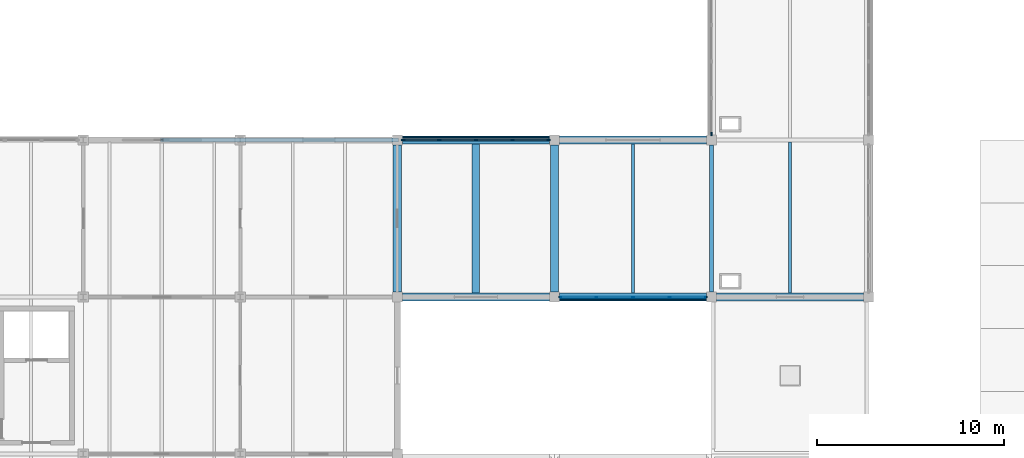
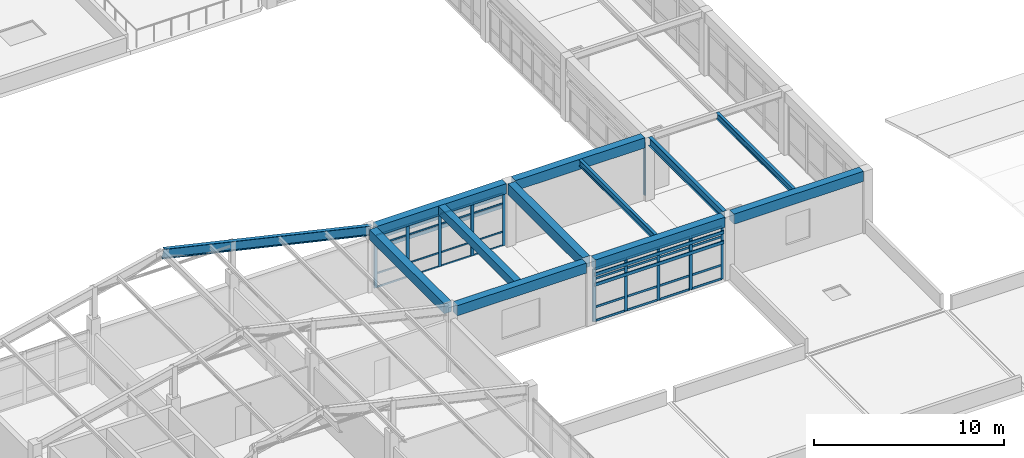
# One storey, part 7 of 40: 47 members, 12 beams, 3 elements without a shape of their own.
"""IFC4 building model written with IfcOpenShell, lengths in metres."""

import ifcopenshell
import ifcopenshell.guid

model = None  # the IFC model being written
_history = None  # IfcOwnerHistory: only IFC2X3 demands one
_inside = {}  # id of a spatial element -> (the spatial element, [elements in it])
_under = {}  # id of a project, library or spatial element -> (it, [spatial elements below it])
_declared = {}  # id of a project -> (the project, [libraries it declares])
_typed = {}  # id of a type object -> (the type object, [elements of that type])
_made_of = {}  # id of a material, layer set ... -> (it, [elements and type objects made of it])


def new_model(schema):
    """Start an empty IFC model of exactly this schema.

    Asked for "IFC4X3", IfcOpenShell would pick the latest addendum, in which some entities
    have other attributes; the version numbers below select the first issue.
    IFC2X3 requires an IfcOwnerHistory on every rooted entity: one is made here for all.
    """
    global model, _history
    if schema == "IFC4X3":
        model = ifcopenshell.file(schema_version=(4, 3, 0, 0))
    else:
        model = ifcopenshell.file(schema=schema)
    _inside.clear()
    _under.clear()
    _declared.clear()
    _typed.clear()
    _made_of.clear()
    _history = None
    if model.schema == "IFC2X3":
        org = make("IfcOrganization", Name="unknown")
        user = make(
            "IfcPersonAndOrganization",
            ThePerson=make("IfcPerson", FamilyName="unknown"),
            TheOrganization=org,
        )
        app = make(
            "IfcApplication",
            ApplicationDeveloper=org,
            Version="unknown",
            ApplicationFullName="unknown",
            ApplicationIdentifier="unknown",
        )
        _history = make(
            "IfcOwnerHistory",
            OwningUser=user,
            OwningApplication=app,
            ChangeAction="ADDED",
            CreationDate=0,
        )
    return model


def make(cls, **values):
    """One entity of the class cls with the attributes given. An attribute that is None is left unset."""
    return model.create_entity(
        cls, **{name: value for name, value in values.items() if value is not None}
    )


def rooted(cls, **values):
    """An entity with a GlobalId (a new one), such as an element, a storey or a relation."""
    return make(cls, GlobalId=ifcopenshell.guid.new(), OwnerHistory=_history, **values)


def si_unit(unit_type, name, prefix=None):
    """IfcSIUnit, for example si_unit("LENGTHUNIT", "METRE", prefix="MILLI")."""
    return make("IfcSIUnit", UnitType=unit_type, Prefix=prefix, Name=name)


def assignment(units):
    """IfcUnitAssignment: the units of a project."""
    return None if units is None else make("IfcUnitAssignment", Units=units)


def point(xyz):
    """IfcCartesianPoint."""
    return None if xyz is None else make("IfcCartesianPoint", Coordinates=xyz)


def direction(xyz):
    """IfcDirection."""
    return None if xyz is None else make("IfcDirection", DirectionRatios=xyz)


def frame(location, z_axis=None, x_axis=None):
    """IfcAxis2Placement3D, a coordinate frame: its origin and axes. An axis left out is left unset."""
    return make(
        "IfcAxis2Placement3D",
        Location=point(location),
        Axis=direction(z_axis),
        RefDirection=direction(x_axis),
    )


def frame_2d(location, x_axis=None):
    """IfcAxis2Placement2D, a coordinate frame in the plane: its origin and x axis."""
    return make(
        "IfcAxis2Placement2D", Location=point(location), RefDirection=direction(x_axis)
    )


def origin():
    """The frame at (0, 0, 0) with its axes left unset."""
    return frame((0.0, 0.0, 0.0))


def origin_2d():
    """The frame at (0, 0) in the plane with its x axis left unset."""
    return frame_2d((0.0, 0.0))


def place(relative_to, where):
    """IfcLocalPlacement: puts the frame where relative to a parent placement (None: the world)."""
    return make(
        "IfcLocalPlacement", PlacementRelTo=relative_to, RelativePlacement=where
    )


def context(
    kind, dimensions, precision=None, world=None, true_north=None, identifier=None
):
    """IfcGeometricRepresentationContext, for example the 3D "Model" context."""
    return make(
        "IfcGeometricRepresentationContext",
        ContextIdentifier=identifier,
        ContextType=kind,
        CoordinateSpaceDimension=dimensions,
        Precision=precision,
        WorldCoordinateSystem=world,
        TrueNorth=true_north,
    )


def subcontext(parent, identifier, kind, view, scale=None):
    """IfcGeometricRepresentationSubContext, for example "Body" below "Model"."""
    return make(
        "IfcGeometricRepresentationSubContext",
        ContextIdentifier=identifier,
        ContextType=kind,
        ParentContext=parent,
        TargetScale=scale,
        TargetView=view,
    )


def project(units=None, contexts=None):
    """IfcProject with its units and contexts."""
    return rooted(
        "IfcProject",
        Name="project",
        RepresentationContexts=contexts,
        UnitsInContext=assignment(units),
    )


def spatial(cls, under=None, at=None, **own):
    """A site, building, storey or space (cls), placed at a placement, below another one or the project."""
    s = rooted(cls, ObjectPlacement=at, **own)
    if under is not None:
        _under.setdefault(under.id(), (under, []))[1].append(s)
    return s


def profile(cls, at=None, kind="AREA", **sizes):
    """A parametric profile (cls). Its sizes go by their IFC names, for example OverallWidth=200.0."""
    return make(cls, ProfileType=kind, Position=at, **sizes)


def rectangle(**sizes):
    """IfcRectangleProfileDef."""
    return profile("IfcRectangleProfileDef", **sizes)


def i_section(**sizes):
    """IfcIShapeProfileDef."""
    return profile("IfcIShapeProfileDef", **sizes)


def extrude(swept, where, along, depth):
    """IfcExtrudedAreaSolid: the profile swept, set in the frame where, extruded along a direction by depth."""
    return make(
        "IfcExtrudedAreaSolid",
        SweptArea=swept,
        Position=where,
        ExtrudedDirection=direction(along),
        Depth=depth,
    )


def shape(context_of_items, identifier, shape_type, items):
    """IfcShapeRepresentation: the items that make up one representation, for example the "Body"."""
    return make(
        "IfcShapeRepresentation",
        ContextOfItems=context_of_items,
        RepresentationIdentifier=identifier,
        RepresentationType=shape_type,
        Items=items,
    )


def material(Name=None, Category=None):
    """IfcMaterial."""
    return make("IfcMaterial", Name=Name, Category=Category)


def layer(
    of_material, thickness, ventilated=None, Name=None, Category=None, Priority=None
):
    """IfcMaterialLayer: one layer of a wall or slab, of a material (None: an air gap)."""
    return make(
        "IfcMaterialLayer",
        Material=of_material,
        LayerThickness=thickness,
        IsVentilated=ventilated,
        Name=Name,
        Category=Category,
        Priority=Priority,
    )


def layer_set(layers, Name=None):
    """IfcMaterialLayerSet."""
    return make("IfcMaterialLayerSet", MaterialLayers=layers, LayerSetName=Name)


def material_profile(
    of_material, cross_section, Name=None, Category=None, Priority=None
):
    """IfcMaterialProfile: a cross section and its material."""
    return make(
        "IfcMaterialProfile",
        Name=Name,
        Material=of_material,
        Profile=cross_section,
        Priority=Priority,
        Category=Category,
    )


def profile_set(profiles, Name=None, composite=None):
    """IfcMaterialProfileSet."""
    return make(
        "IfcMaterialProfileSet",
        Name=Name,
        MaterialProfiles=profiles,
        CompositeProfile=composite,
    )


def made_of(thing, what):
    """Note that an element or type object is made of a material, layer set ...; save() writes the relation."""
    if what is not None:
        _made_of.setdefault(what.id(), (what, []))[1].append(thing)
    return thing


def type_object(cls, material=None, **own):
    """A type object (cls), such as IfcWallType, which elements share."""
    return made_of(rooted(cls, **own), material)


def element(
    cls,
    number,
    at=None,
    inside=None,
    cuts=None,
    type_object=None,
    material=None,
    context=None,
    identifier="Body",
    shape_type=None,
    held_by="IfcProductDefinitionShape",
    body=None,
    shapes=None,
    **own,
):
    """One element of the class cls, such as IfcWall. Its Tag is "e" and its number.

    at: its placement. inside: the storey or other place that contains it. cuts: it is an
    opening in that element (IfcRelVoidsElement). A single representation is given by context,
    identifier, shape_type and body (its items); several are given by shapes. held_by: the class
    of the entity that holds the representations. save() writes the other relations.
    """
    e = rooted(cls, Tag="e%d" % number, ObjectPlacement=at, **own)
    if body is not None:
        shapes = [shape(context, identifier, shape_type, body)]
    if shapes is not None:
        e.Representation = make(held_by, Representations=shapes)
    if inside is not None:
        _inside.setdefault(inside.id(), (inside, []))[1].append(e)
    if cuts is not None:
        rooted(
            "IfcRelVoidsElement", RelatingBuildingElement=cuts, RelatedOpeningElement=e
        )
    if type_object is not None:
        _typed.setdefault(type_object.id(), (type_object, []))[1].append(e)
    return made_of(e, material)


def aggregate(whole, parts):
    """IfcRelAggregates: a whole, such as a stair, and the parts it consists of."""
    return rooted("IfcRelAggregates", RelatingObject=whole, RelatedObjects=parts)


def save(model, path):
    """Write the relations noted so far, then the file.

    IfcRelAggregates (storeys below a building ...), IfcRelContainedInSpatialStructure (elements
    in a storey), IfcRelDefinesByType, IfcRelAssociatesMaterial and IfcRelDeclares: one each for
    every whole, place, type object, material and project.
    """
    for whole, parts in _under.values():
        aggregate(whole, parts)
    for where, things in _inside.values():
        rooted(
            "IfcRelContainedInSpatialStructure",
            RelatedElements=things,
            RelatingStructure=where,
        )
    for kind, things in _typed.values():
        rooted("IfcRelDefinesByType", RelatedObjects=things, RelatingType=kind)
    for what, things in _made_of.values():
        rooted("IfcRelAssociatesMaterial", RelatedObjects=things, RelatingMaterial=what)
    for by, libraries in _declared.values():
        rooted("IfcRelDeclares", RelatingContext=by, RelatedDefinitions=libraries)
    model.write(path)


model = new_model("IFC4")

# Units and contexts
model_context = context("Model", 3, precision=1e-05, world=origin(), true_north=direction((0.0, 1.0)))
body_context = subcontext(model_context, "Body", "Model", "MODEL_VIEW")
ifc_project = project(units=[si_unit("LENGTHUNIT", "METRE"), si_unit("AREAUNIT", "SQUARE_METRE"), si_unit("VOLUMEUNIT", "CUBIC_METRE"), si_unit("PLANEANGLEUNIT", "RADIAN"), si_unit("MASSUNIT", "GRAM", prefix="KILO")], contexts=[model_context])

# Site, building, storey
site_placement = place(None, origin())
site = spatial("IfcSite", under=ifc_project, at=site_placement, CompositionType="ELEMENT")
building_placement = place(site_placement, origin())
building = spatial("IfcBuilding", under=site, at=building_placement, Name="Porcellanite Civic Hall", CompositionType="ELEMENT")
storey_placement = place(building_placement, frame((0.0, 0.0, 19.080078125)))
storey = spatial("IfcBuildingStorey", under=building, at=storey_placement, Name="L04", CompositionType="ELEMENT", Elevation=19.080078125)

# Beams
ifc_material_1 = material(Name="Concrete N50 (50 MPa)", Category="concrete")
ifc_material_profile_1 = material_profile(ifc_material_1, rectangle(XDim=0.39990234375, YDim=0.550048828125, at=origin_2d()), Name="RC-400x550")
ifc_profile_set_1 = profile_set([ifc_material_profile_1], Name="Concrete N50 (50 MPa)")
beam_type_1 = type_object("IfcBeamType", Name="BM-RC550", PredefinedType="JOIST", material=ifc_profile_set_1)
beam_1_placement = place(storey_placement, frame((37.800048828125, 67.424560546875, 3.794921875), z_axis=(0.0, 1.0, 0.0), x_axis=(-1.0, 0.0, 0.0)))
element("IfcBeam", 1, at=beam_1_placement, inside=storey, type_object=beam_type_1, Name="Secondary joist L04 5-9", PredefinedType="JOIST", context=body_context, shape_type="SweptSolid", body=[
    extrude(rectangle(XDim=0.39990234375, YDim=0.550048828125, at=origin_2d()), origin(), (0.0, 0.0, 1.0), 7.950927734375),
])
ifc_material_2 = material(Name="Concrete N50 (50 MPa)", Category="concrete")
ifc_material_profile_2 = material_profile(ifc_material_2, rectangle(XDim=0.449951171875, YDim=0.64990234375, at=origin_2d()), Name="RC-450x650")
ifc_profile_set_2 = profile_set([ifc_material_profile_2], Name="Concrete N50 (50 MPa)")
beam_type_2 = type_object("IfcBeamType", Name="BM-RC650", PredefinedType="SPANDREL", material=ifc_profile_set_2)
for number, where, z_axis, x_axis, name in (
    (2, (33.87451171875, 67.199951171875, 3.744873046875), (1.0, 0.0, 0.0), (0.0, 1.0, 0.0), "Beam X L04 5-9"),
    (3, (33.87451171875, 75.60009765625, 3.744873046875), (1.0, 0.0, 0.0), (0.0, 1.0, 0.0), "Beam X L04 5-10"),
    (4, (42.2744140625, 67.199951171875, 3.744873046875), (1.0, 0.0, 0.0), (0.0, 1.0, 0.0), "Beam X L04 6-9"),
    (5, (42.2744140625, 75.60009765625, 3.744873046875), (1.0, 0.0, 0.0), (0.0, 1.0, 0.0), "Beam X L04 6-10"),
):
    element("IfcBeam", number, at=place(storey_placement, frame(where, z_axis=z_axis, x_axis=x_axis)), inside=storey, type_object=beam_type_2, Name=name, PredefinedType="SPANDREL", context=body_context, shape_type="SweptSolid", body=[
        extrude(rectangle(XDim=0.449951171875, YDim=0.64990234375, at=origin_2d()), origin(), (0.0, 0.0, 1.0), 7.85107421875),
    ])
for number, where, z_axis, x_axis, name in (
    (6, (50.674560546875, 67.199951171875, 3.744873046875), (1.0, 0.0, 0.0), (0.0, 1.0, 0.0), "Beam X L04 7-9"),
    (7, (33.60009765625, 67.474609375, 3.744873046875), (0.0, 1.0, 0.0), (-1.0, 0.0, 0.0), "Beam Y L04 5-9"),
):
    element("IfcBeam", number, at=place(storey_placement, frame(where, z_axis=z_axis, x_axis=x_axis)), inside=storey, type_object=beam_type_2, Name=name, PredefinedType="SPANDREL", context=body_context, shape_type="SweptSolid", body=[
        extrude(rectangle(XDim=0.449951171875, YDim=0.64990234375, at=origin_2d()), origin(), (0.0, 0.0, 1.0), 7.850830078125),
    ])
ifc_material_3 = material(Name="Concrete N50 (50 MPa)", Category="concrete")
ifc_material_profile_3 = material_profile(ifc_material_3, rectangle(XDim=0.449951171875, YDim=0.699951171875, at=origin_2d()), Name="RC-450x700")
ifc_profile_set_3 = profile_set([ifc_material_profile_3], Name="Concrete N50 (50 MPa)")
beam_type_3 = type_object("IfcBeamType", Name="BM-RC700", PredefinedType="BEAM", material=ifc_profile_set_3)
beam_2_placement = place(storey_placement, frame((42.0, 67.474609375, 3.719970703125), z_axis=(0.0, 1.0, 0.0), x_axis=(-1.0, 0.0, 0.0)))
element("IfcBeam", 8, at=beam_2_placement, inside=storey, type_object=beam_type_3, Name="Beam Y L04 6-9", PredefinedType="BEAM", context=body_context, shape_type="SweptSolid", body=[
    extrude(rectangle(XDim=0.449951171875, YDim=0.699951171875, at=origin_2d()), origin(), (0.0, 0.0, 1.0), 7.850830078125),
])

# Curtain wall, members
ifc_material_4 = material(Name="Anodised aluminium and solar laminated glass", Category="aluminium")
ifc_layer_1 = layer(ifc_material_4, 0.179931640625)
ifc_layer_set_1 = layer_set([ifc_layer_1], Name="Anodised aluminium and solar laminated glass")
curtain_wall_type_1 = type_object("IfcCurtainWallType", Name="CW-SYS04", PredefinedType="NOTDEFINED", material=ifc_layer_set_1)
curtain_wall_1_placement = place(storey_placement, origin())
curtain_wall_1 = element("IfcCurtainWall", 9, at=curtain_wall_1_placement, inside=storey, type_object=curtain_wall_type_1, Name="Curtain wall CW-235", PredefinedType="NOTDEFINED")
ifc_material_5 = material(Name="Anodised aluminium 6063-T6", Category="aluminium")
ifc_material_profile_4 = material_profile(ifc_material_5, rectangle(XDim=0.074951171875, YDim=0.18994140625, at=origin_2d()), Name="AL-75x190")
ifc_profile_set_4 = profile_set([ifc_material_profile_4], Name="Anodised aluminium 6063-T6")
member_type_1 = type_object("IfcMemberType", Name="CWM-04", PredefinedType="MULLION", material=ifc_profile_set_4)
member_1_placement = place(storey_placement, frame((33.91357421875, 75.60009765625, 0.0), z_axis=(0.0, 0.0, 1.0), x_axis=(0.0, 1.0, 0.0)))
member_1 = element("IfcMember", 10, at=member_1_placement, type_object=member_type_1, Name="CW-235 mullion 1", PredefinedType="MULLION", context=body_context, shape_type="SweptSolid", body=[
    extrude(rectangle(XDim=0.074951171875, YDim=0.18994140625, at=origin_2d()), origin(), (0.0, 0.0, 1.0), 3.369873046875),
])
member_2_placement = place(storey_placement, frame((35.837890625, 75.60009765625, 0.0), z_axis=(0.0, 0.0, 1.0), x_axis=(0.0, 1.0, 0.0)))
member_2 = element("IfcMember", 11, at=member_2_placement, type_object=member_type_1, Name="CW-235 mullion 2", PredefinedType="MULLION", context=body_context, shape_type="SweptSolid", body=[
    extrude(rectangle(XDim=0.074951171875, YDim=0.18994140625, at=origin_2d()), origin(), (0.0, 0.0, 1.0), 3.369873046875),
])
member_3_placement = place(storey_placement, frame((37.800048828125, 75.60009765625, 0.0), z_axis=(0.0, 0.0, 1.0), x_axis=(0.0, 1.0, 0.0)))
member_3 = element("IfcMember", 12, at=member_3_placement, type_object=member_type_1, Name="CW-235 mullion 3", PredefinedType="MULLION", context=body_context, shape_type="SweptSolid", body=[
    extrude(rectangle(XDim=0.074951171875, YDim=0.18994140625, at=origin_2d()), origin(), (0.0, 0.0, 1.0), 3.369873046875),
])
member_4_placement = place(storey_placement, frame((39.761962890625, 75.60009765625, 0.0), z_axis=(0.0, 0.0, 1.0), x_axis=(0.0, 1.0, 0.0)))
member_4 = element("IfcMember", 13, at=member_4_placement, type_object=member_type_1, Name="CW-235 mullion 4", PredefinedType="MULLION", context=body_context, shape_type="SweptSolid", body=[
    extrude(rectangle(XDim=0.074951171875, YDim=0.18994140625, at=origin_2d()), origin(), (0.0, 0.0, 1.0), 3.369873046875),
])
member_5_placement = place(storey_placement, frame((41.6865234375, 75.60009765625, 0.0), z_axis=(0.0, 0.0, 1.0), x_axis=(0.0, 1.0, 0.0)))
member_5 = element("IfcMember", 14, at=member_5_placement, type_object=member_type_1, Name="CW-235 mullion 5", PredefinedType="MULLION", context=body_context, shape_type="SweptSolid", body=[
    extrude(rectangle(XDim=0.074951171875, YDim=0.18994140625, at=origin_2d()), origin(), (0.0, 0.0, 1.0), 3.369873046875),
])

# Curtain wall, member
curtain_wall_2_placement = place(storey_placement, origin())
curtain_wall_2 = element("IfcCurtainWall", 15, at=curtain_wall_2_placement, inside=storey, type_object=curtain_wall_type_1, Name="Curtain wall CW-241", PredefinedType="NOTDEFINED")
member_6_placement = place(storey_placement, frame((50.39990234375, 75.91357421875, 0.0), z_axis=(0.0, 0.0, 1.0), x_axis=(-1.0, 0.0, 0.0)))
member_6 = element("IfcMember", 16, at=member_6_placement, type_object=member_type_1, Name="CW-241 mullion 1", PredefinedType="MULLION", context=body_context, shape_type="SweptSolid", body=[
    extrude(rectangle(XDim=0.074951171875, YDim=0.18994140625, at=origin_2d()), origin(), (0.0, 0.0, 1.0), 3.369873046875),
])
aggregate(curtain_wall_2, [member_6])

# Curtain wall, members
ifc_material_6 = material(Name="Anodised aluminium and solar laminated glass", Category="aluminium")
ifc_layer_2 = layer(ifc_material_6, 0.179931640625)
ifc_layer_set_2 = layer_set([ifc_layer_2], Name="Anodised aluminium and solar laminated glass")
curtain_wall_type_2 = type_object("IfcCurtainWallType", Name="CW-SYS06", PredefinedType="NOTDEFINED", material=ifc_layer_set_2)
curtain_wall_3_placement = place(storey_placement, origin())
curtain_wall_3 = element("IfcCurtainWall", 17, at=curtain_wall_3_placement, inside=storey, type_object=curtain_wall_type_2, Name="Curtain wall CW-236", PredefinedType="NOTDEFINED")
ifc_material_7 = material(Name="Anodised aluminium 6063-T6", Category="aluminium")
ifc_material_profile_5 = material_profile(ifc_material_7, rectangle(XDim=0.06494140625, YDim=0.179931640625, at=origin_2d()), Name="AL-65x180")
ifc_profile_set_5 = profile_set([ifc_material_profile_5], Name="Anodised aluminium 6063-T6")
member_type_2 = type_object("IfcMemberType", Name="CWM-06", PredefinedType="MULLION", material=ifc_profile_set_5)
member_7_placement = place(storey_placement, frame((50.091552734375, 67.199951171875, 0.0), z_axis=(0.0, 0.0, 1.0), x_axis=(0.0, -1.0, 0.0)))
member_7 = element("IfcMember", 18, at=member_7_placement, type_object=member_type_2, Name="CW-236 mullion 1", PredefinedType="MULLION", context=body_context, shape_type="SweptSolid", body=[
    extrude(rectangle(XDim=0.06494140625, YDim=0.179931640625, at=origin_2d()), origin(), (0.0, 0.0, 1.0), 3.369873046875),
])
member_8_placement = place(storey_placement, frame((48.162109375, 67.199951171875, 0.0), z_axis=(0.0, 0.0, 1.0), x_axis=(0.0, -1.0, 0.0)))
member_8 = element("IfcMember", 19, at=member_8_placement, type_object=member_type_2, Name="CW-236 mullion 2", PredefinedType="MULLION", context=body_context, shape_type="SweptSolid", body=[
    extrude(rectangle(XDim=0.06494140625, YDim=0.179931640625, at=origin_2d()), origin(), (0.0, 0.0, 1.0), 3.369873046875),
])
member_9_placement = place(storey_placement, frame((46.199951171875, 67.199951171875, 0.0), z_axis=(0.0, 0.0, 1.0), x_axis=(0.0, -1.0, 0.0)))
member_9 = element("IfcMember", 20, at=member_9_placement, type_object=member_type_2, Name="CW-236 mullion 3", PredefinedType="MULLION", context=body_context, shape_type="SweptSolid", body=[
    extrude(rectangle(XDim=0.06494140625, YDim=0.179931640625, at=origin_2d()), origin(), (0.0, 0.0, 1.0), 3.369873046875),
])
member_10_placement = place(storey_placement, frame((44.238037109375, 67.199951171875, 0.0), z_axis=(0.0, 0.0, 1.0), x_axis=(0.0, -1.0, 0.0)))
member_10 = element("IfcMember", 21, at=member_10_placement, type_object=member_type_2, Name="CW-236 mullion 4", PredefinedType="MULLION", context=body_context, shape_type="SweptSolid", body=[
    extrude(rectangle(XDim=0.06494140625, YDim=0.179931640625, at=origin_2d()), origin(), (0.0, 0.0, 1.0), 3.369873046875),
])
member_11_placement = place(storey_placement, frame((42.30859375, 67.199951171875, 0.0), z_axis=(0.0, 0.0, 1.0), x_axis=(0.0, -1.0, 0.0)))
member_11 = element("IfcMember", 22, at=member_11_placement, type_object=member_type_2, Name="CW-236 mullion 5", PredefinedType="MULLION", context=body_context, shape_type="SweptSolid", body=[
    extrude(rectangle(XDim=0.06494140625, YDim=0.179931640625, at=origin_2d()), origin(), (0.0, 0.0, 1.0), 3.369873046875),
])

# Member
ifc_material_8 = material(Name="Anodised aluminium 6063-T6", Category="aluminium")
ifc_material_profile_6 = material_profile(ifc_material_8, rectangle(XDim=0.054931640625, YDim=0.10009765625, at=origin_2d()), Name="AL-55x100")
ifc_profile_set_6 = profile_set([ifc_material_profile_6], Name="Anodised aluminium 6063-T6")
member_type_3 = type_object("IfcMemberType", Name="CWT-05", PredefinedType="USERDEFINED", material=ifc_profile_set_6)
member_12_placement = place(storey_placement, frame((33.950927734375, 75.60009765625, 0.02734375), z_axis=(1.0, 0.0, 0.0), x_axis=(0.0, 1.0, 0.0)))
member_12 = element("IfcMember", 23, at=member_12_placement, type_object=member_type_3, Name="CW-235 transom 1.1", ObjectType="TRANSOM", PredefinedType="USERDEFINED", context=body_context, shape_type="SweptSolid", body=[
    extrude(rectangle(XDim=0.054931640625, YDim=0.10009765625, at=origin_2d()), origin(), (0.0, 0.0, 1.0), 1.849609375),
])

member_13_placement = place(storey_placement, frame((33.950927734375, 75.60009765625, 0.89990234375), z_axis=(1.0, 0.0, 0.0), x_axis=(0.0, 1.0, 0.0)))
member_13 = element("IfcMember", 24, at=member_13_placement, type_object=member_type_3, Name="CW-235 transom 1.2", ObjectType="TRANSOM", PredefinedType="USERDEFINED", context=body_context, shape_type="SweptSolid", body=[
    extrude(rectangle(XDim=0.054931640625, YDim=0.10009765625, at=origin_2d()), origin(), (0.0, 0.0, 1.0), 1.849609375),
])

member_14_placement = place(storey_placement, frame((33.950927734375, 75.60009765625, 2.719970703125), z_axis=(1.0, 0.0, 0.0), x_axis=(0.0, 1.0, 0.0)))
member_14 = element("IfcMember", 25, at=member_14_placement, type_object=member_type_3, Name="CW-235 transom 1.3", ObjectType="TRANSOM", PredefinedType="USERDEFINED", context=body_context, shape_type="SweptSolid", body=[
    extrude(rectangle(XDim=0.054931640625, YDim=0.10009765625, at=origin_2d()), origin(), (0.0, 0.0, 1.0), 1.849609375),
])

member_15_placement = place(storey_placement, frame((33.950927734375, 75.60009765625, 3.342529296875), z_axis=(1.0, 0.0, 0.0), x_axis=(0.0, 1.0, 0.0)))
member_15 = element("IfcMember", 26, at=member_15_placement, type_object=member_type_3, Name="CW-235 transom 1.4", ObjectType="TRANSOM", PredefinedType="USERDEFINED", context=body_context, shape_type="SweptSolid", body=[
    extrude(rectangle(XDim=0.054931640625, YDim=0.10009765625, at=origin_2d()), origin(), (0.0, 0.0, 1.0), 1.849609375),
])

member_16_placement = place(storey_placement, frame((35.87548828125, 75.60009765625, 0.02734375), z_axis=(1.0, 0.0, 0.0), x_axis=(0.0, 1.0, 0.0)))
member_16 = element("IfcMember", 27, at=member_16_placement, type_object=member_type_3, Name="CW-235 transom 2.1", ObjectType="TRANSOM", PredefinedType="USERDEFINED", context=body_context, shape_type="SweptSolid", body=[
    extrude(rectangle(XDim=0.054931640625, YDim=0.10009765625, at=origin_2d()), origin(), (0.0, 0.0, 1.0), 1.886962890625),
])

member_17_placement = place(storey_placement, frame((35.87548828125, 75.60009765625, 0.89990234375), z_axis=(1.0, 0.0, 0.0), x_axis=(0.0, 1.0, 0.0)))
member_17 = element("IfcMember", 28, at=member_17_placement, type_object=member_type_3, Name="CW-235 transom 2.2", ObjectType="TRANSOM", PredefinedType="USERDEFINED", context=body_context, shape_type="SweptSolid", body=[
    extrude(rectangle(XDim=0.054931640625, YDim=0.10009765625, at=origin_2d()), origin(), (0.0, 0.0, 1.0), 1.886962890625),
])

member_18_placement = place(storey_placement, frame((35.87548828125, 75.60009765625, 2.719970703125), z_axis=(1.0, 0.0, 0.0), x_axis=(0.0, 1.0, 0.0)))
member_18 = element("IfcMember", 29, at=member_18_placement, type_object=member_type_3, Name="CW-235 transom 2.3", ObjectType="TRANSOM", PredefinedType="USERDEFINED", context=body_context, shape_type="SweptSolid", body=[
    extrude(rectangle(XDim=0.054931640625, YDim=0.10009765625, at=origin_2d()), origin(), (0.0, 0.0, 1.0), 1.886962890625),
])

member_19_placement = place(storey_placement, frame((35.87548828125, 75.60009765625, 3.342529296875), z_axis=(1.0, 0.0, 0.0), x_axis=(0.0, 1.0, 0.0)))
member_19 = element("IfcMember", 30, at=member_19_placement, type_object=member_type_3, Name="CW-235 transom 2.4", ObjectType="TRANSOM", PredefinedType="USERDEFINED", context=body_context, shape_type="SweptSolid", body=[
    extrude(rectangle(XDim=0.054931640625, YDim=0.10009765625, at=origin_2d()), origin(), (0.0, 0.0, 1.0), 1.886962890625),
])

member_20_placement = place(storey_placement, frame((37.83740234375, 75.60009765625, 0.02734375), z_axis=(1.0, 0.0, 0.0), x_axis=(0.0, 1.0, 0.0)))
member_20 = element("IfcMember", 31, at=member_20_placement, type_object=member_type_3, Name="CW-235 transom 3.1", ObjectType="TRANSOM", PredefinedType="USERDEFINED", context=body_context, shape_type="SweptSolid", body=[
    extrude(rectangle(XDim=0.054931640625, YDim=0.10009765625, at=origin_2d()), origin(), (0.0, 0.0, 1.0), 1.88720703125),
])

member_21_placement = place(storey_placement, frame((37.83740234375, 75.60009765625, 0.89990234375), z_axis=(1.0, 0.0, 0.0), x_axis=(0.0, 1.0, 0.0)))
member_21 = element("IfcMember", 32, at=member_21_placement, type_object=member_type_3, Name="CW-235 transom 3.2", ObjectType="TRANSOM", PredefinedType="USERDEFINED", context=body_context, shape_type="SweptSolid", body=[
    extrude(rectangle(XDim=0.054931640625, YDim=0.10009765625, at=origin_2d()), origin(), (0.0, 0.0, 1.0), 1.88720703125),
])

member_22_placement = place(storey_placement, frame((37.83740234375, 75.60009765625, 2.719970703125), z_axis=(1.0, 0.0, 0.0), x_axis=(0.0, 1.0, 0.0)))
member_22 = element("IfcMember", 33, at=member_22_placement, type_object=member_type_3, Name="CW-235 transom 3.3", ObjectType="TRANSOM", PredefinedType="USERDEFINED", context=body_context, shape_type="SweptSolid", body=[
    extrude(rectangle(XDim=0.054931640625, YDim=0.10009765625, at=origin_2d()), origin(), (0.0, 0.0, 1.0), 1.88720703125),
])

member_23_placement = place(storey_placement, frame((37.83740234375, 75.60009765625, 3.342529296875), z_axis=(1.0, 0.0, 0.0), x_axis=(0.0, 1.0, 0.0)))
member_23 = element("IfcMember", 34, at=member_23_placement, type_object=member_type_3, Name="CW-235 transom 3.4", ObjectType="TRANSOM", PredefinedType="USERDEFINED", context=body_context, shape_type="SweptSolid", body=[
    extrude(rectangle(XDim=0.054931640625, YDim=0.10009765625, at=origin_2d()), origin(), (0.0, 0.0, 1.0), 1.88720703125),
])

member_24_placement = place(storey_placement, frame((39.799560546875, 75.60009765625, 0.02734375), z_axis=(1.0, 0.0, 0.0), x_axis=(0.0, 1.0, 0.0)))
member_24 = element("IfcMember", 35, at=member_24_placement, type_object=member_type_3, Name="CW-235 transom 4.1", ObjectType="TRANSOM", PredefinedType="USERDEFINED", context=body_context, shape_type="SweptSolid", body=[
    extrude(rectangle(XDim=0.054931640625, YDim=0.10009765625, at=origin_2d()), origin(), (0.0, 0.0, 1.0), 1.849365234375),
])

member_25_placement = place(storey_placement, frame((39.799560546875, 75.60009765625, 0.89990234375), z_axis=(1.0, 0.0, 0.0), x_axis=(0.0, 1.0, 0.0)))
member_25 = element("IfcMember", 36, at=member_25_placement, type_object=member_type_3, Name="CW-235 transom 4.2", ObjectType="TRANSOM", PredefinedType="USERDEFINED", context=body_context, shape_type="SweptSolid", body=[
    extrude(rectangle(XDim=0.054931640625, YDim=0.10009765625, at=origin_2d()), origin(), (0.0, 0.0, 1.0), 1.849365234375),
])

member_26_placement = place(storey_placement, frame((39.799560546875, 75.60009765625, 2.719970703125), z_axis=(1.0, 0.0, 0.0), x_axis=(0.0, 1.0, 0.0)))
member_26 = element("IfcMember", 37, at=member_26_placement, type_object=member_type_3, Name="CW-235 transom 4.3", ObjectType="TRANSOM", PredefinedType="USERDEFINED", context=body_context, shape_type="SweptSolid", body=[
    extrude(rectangle(XDim=0.054931640625, YDim=0.10009765625, at=origin_2d()), origin(), (0.0, 0.0, 1.0), 1.849365234375),
])

member_27_placement = place(storey_placement, frame((39.799560546875, 75.60009765625, 3.342529296875), z_axis=(1.0, 0.0, 0.0), x_axis=(0.0, 1.0, 0.0)))
member_27 = element("IfcMember", 38, at=member_27_placement, type_object=member_type_3, Name="CW-235 transom 4.4", ObjectType="TRANSOM", PredefinedType="USERDEFINED", context=body_context, shape_type="SweptSolid", body=[
    extrude(rectangle(XDim=0.054931640625, YDim=0.10009765625, at=origin_2d()), origin(), (0.0, 0.0, 1.0), 1.849365234375),
])

aggregate(curtain_wall_1, [member_1, member_2, member_3, member_4, member_5, member_12, member_13, member_14, member_15, member_16, member_17, member_18, member_19, member_20, member_21, member_22, member_23, member_24, member_25, member_26, member_27])

ifc_material_9 = material(Name="Anodised aluminium 6063-T6", Category="aluminium")
ifc_material_profile_7 = material_profile(ifc_material_9, rectangle(XDim=0.050048828125, YDim=0.139892578125, at=origin_2d()), Name="AL-50x140")
ifc_profile_set_7 = profile_set([ifc_material_profile_7], Name="Anodised aluminium 6063-T6")
member_type_4 = type_object("IfcMemberType", Name="CWT-06", PredefinedType="USERDEFINED", material=ifc_profile_set_7)
member_28_placement = place(storey_placement, frame((50.05908203125, 67.199951171875, 0.02490234375), z_axis=(-1.0, 0.0, 0.0), x_axis=(0.0, -1.0, 0.0)))
member_28 = element("IfcMember", 39, at=member_28_placement, type_object=member_type_4, Name="CW-236 transom 1.1", ObjectType="TRANSOM", PredefinedType="USERDEFINED", context=body_context, shape_type="SweptSolid", body=[
    extrude(rectangle(XDim=0.050048828125, YDim=0.139892578125, at=origin_2d()), origin(), (0.0, 0.0, 1.0), 1.864501953125),
])

member_29_placement = place(storey_placement, frame((50.05908203125, 67.199951171875, 0.89990234375), z_axis=(-1.0, 0.0, 0.0), x_axis=(0.0, -1.0, 0.0)))
member_29 = element("IfcMember", 40, at=member_29_placement, type_object=member_type_4, Name="CW-236 transom 1.2", ObjectType="TRANSOM", PredefinedType="USERDEFINED", context=body_context, shape_type="SweptSolid", body=[
    extrude(rectangle(XDim=0.050048828125, YDim=0.139892578125, at=origin_2d()), origin(), (0.0, 0.0, 1.0), 1.864501953125),
])

member_30_placement = place(storey_placement, frame((50.05908203125, 67.199951171875, 2.719970703125), z_axis=(-1.0, 0.0, 0.0), x_axis=(0.0, -1.0, 0.0)))
member_30 = element("IfcMember", 41, at=member_30_placement, type_object=member_type_4, Name="CW-236 transom 1.3", ObjectType="TRANSOM", PredefinedType="USERDEFINED", context=body_context, shape_type="SweptSolid", body=[
    extrude(rectangle(XDim=0.050048828125, YDim=0.139892578125, at=origin_2d()), origin(), (0.0, 0.0, 1.0), 1.864501953125),
])

member_31_placement = place(storey_placement, frame((50.05908203125, 67.199951171875, 3.344970703125), z_axis=(-1.0, 0.0, 0.0), x_axis=(0.0, -1.0, 0.0)))
member_31 = element("IfcMember", 42, at=member_31_placement, type_object=member_type_4, Name="CW-236 transom 1.4", ObjectType="TRANSOM", PredefinedType="USERDEFINED", context=body_context, shape_type="SweptSolid", body=[
    extrude(rectangle(XDim=0.050048828125, YDim=0.139892578125, at=origin_2d()), origin(), (0.0, 0.0, 1.0), 1.864501953125),
])

member_32_placement = place(storey_placement, frame((48.12939453125, 67.199951171875, 0.02490234375), z_axis=(-1.0, 0.0, 0.0), x_axis=(0.0, -1.0, 0.0)))
member_32 = element("IfcMember", 43, at=member_32_placement, type_object=member_type_4, Name="CW-236 transom 2.1", ObjectType="TRANSOM", PredefinedType="USERDEFINED", context=body_context, shape_type="SweptSolid", body=[
    extrude(rectangle(XDim=0.050048828125, YDim=0.139892578125, at=origin_2d()), origin(), (0.0, 0.0, 1.0), 1.89697265625),
])

member_33_placement = place(storey_placement, frame((48.12939453125, 67.199951171875, 0.89990234375), z_axis=(-1.0, 0.0, 0.0), x_axis=(0.0, -1.0, 0.0)))
member_33 = element("IfcMember", 44, at=member_33_placement, type_object=member_type_4, Name="CW-236 transom 2.2", ObjectType="TRANSOM", PredefinedType="USERDEFINED", context=body_context, shape_type="SweptSolid", body=[
    extrude(rectangle(XDim=0.050048828125, YDim=0.139892578125, at=origin_2d()), origin(), (0.0, 0.0, 1.0), 1.89697265625),
])

member_34_placement = place(storey_placement, frame((48.12939453125, 67.199951171875, 2.719970703125), z_axis=(-1.0, 0.0, 0.0), x_axis=(0.0, -1.0, 0.0)))
member_34 = element("IfcMember", 45, at=member_34_placement, type_object=member_type_4, Name="CW-236 transom 2.3", ObjectType="TRANSOM", PredefinedType="USERDEFINED", context=body_context, shape_type="SweptSolid", body=[
    extrude(rectangle(XDim=0.050048828125, YDim=0.139892578125, at=origin_2d()), origin(), (0.0, 0.0, 1.0), 1.89697265625),
])

member_35_placement = place(storey_placement, frame((48.12939453125, 67.199951171875, 3.344970703125), z_axis=(-1.0, 0.0, 0.0), x_axis=(0.0, -1.0, 0.0)))
member_35 = element("IfcMember", 46, at=member_35_placement, type_object=member_type_4, Name="CW-236 transom 2.4", ObjectType="TRANSOM", PredefinedType="USERDEFINED", context=body_context, shape_type="SweptSolid", body=[
    extrude(rectangle(XDim=0.050048828125, YDim=0.139892578125, at=origin_2d()), origin(), (0.0, 0.0, 1.0), 1.89697265625),
])

member_36_placement = place(storey_placement, frame((46.16748046875, 67.199951171875, 0.02490234375), z_axis=(-1.0, 0.0, 0.0), x_axis=(0.0, -1.0, 0.0)))
member_36 = element("IfcMember", 47, at=member_36_placement, type_object=member_type_4, Name="CW-236 transom 3.1", ObjectType="TRANSOM", PredefinedType="USERDEFINED", context=body_context, shape_type="SweptSolid", body=[
    extrude(rectangle(XDim=0.050048828125, YDim=0.139892578125, at=origin_2d()), origin(), (0.0, 0.0, 1.0), 1.89697265625),
])

member_37_placement = place(storey_placement, frame((46.16748046875, 67.199951171875, 0.89990234375), z_axis=(-1.0, 0.0, 0.0), x_axis=(0.0, -1.0, 0.0)))
member_37 = element("IfcMember", 48, at=member_37_placement, type_object=member_type_4, Name="CW-236 transom 3.2", ObjectType="TRANSOM", PredefinedType="USERDEFINED", context=body_context, shape_type="SweptSolid", body=[
    extrude(rectangle(XDim=0.050048828125, YDim=0.139892578125, at=origin_2d()), origin(), (0.0, 0.0, 1.0), 1.89697265625),
])

member_38_placement = place(storey_placement, frame((46.16748046875, 67.199951171875, 2.719970703125), z_axis=(-1.0, 0.0, 0.0), x_axis=(0.0, -1.0, 0.0)))
member_38 = element("IfcMember", 49, at=member_38_placement, type_object=member_type_4, Name="CW-236 transom 3.3", ObjectType="TRANSOM", PredefinedType="USERDEFINED", context=body_context, shape_type="SweptSolid", body=[
    extrude(rectangle(XDim=0.050048828125, YDim=0.139892578125, at=origin_2d()), origin(), (0.0, 0.0, 1.0), 1.89697265625),
])

member_39_placement = place(storey_placement, frame((46.16748046875, 67.199951171875, 3.344970703125), z_axis=(-1.0, 0.0, 0.0), x_axis=(0.0, -1.0, 0.0)))
member_39 = element("IfcMember", 50, at=member_39_placement, type_object=member_type_4, Name="CW-236 transom 3.4", ObjectType="TRANSOM", PredefinedType="USERDEFINED", context=body_context, shape_type="SweptSolid", body=[
    extrude(rectangle(XDim=0.050048828125, YDim=0.139892578125, at=origin_2d()), origin(), (0.0, 0.0, 1.0), 1.89697265625),
])

member_40_placement = place(storey_placement, frame((44.20556640625, 67.199951171875, 0.02490234375), z_axis=(-1.0, 0.0, 0.0), x_axis=(0.0, -1.0, 0.0)))
member_40 = element("IfcMember", 51, at=member_40_placement, type_object=member_type_4, Name="CW-236 transom 4.1", ObjectType="TRANSOM", PredefinedType="USERDEFINED", context=body_context, shape_type="SweptSolid", body=[
    extrude(rectangle(XDim=0.050048828125, YDim=0.139892578125, at=origin_2d()), origin(), (0.0, 0.0, 1.0), 1.864501953125),
])

member_41_placement = place(storey_placement, frame((44.20556640625, 67.199951171875, 0.89990234375), z_axis=(-1.0, 0.0, 0.0), x_axis=(0.0, -1.0, 0.0)))
member_41 = element("IfcMember", 52, at=member_41_placement, type_object=member_type_4, Name="CW-236 transom 4.2", ObjectType="TRANSOM", PredefinedType="USERDEFINED", context=body_context, shape_type="SweptSolid", body=[
    extrude(rectangle(XDim=0.050048828125, YDim=0.139892578125, at=origin_2d()), origin(), (0.0, 0.0, 1.0), 1.864501953125),
])

member_42_placement = place(storey_placement, frame((44.20556640625, 67.199951171875, 2.719970703125), z_axis=(-1.0, 0.0, 0.0), x_axis=(0.0, -1.0, 0.0)))
member_42 = element("IfcMember", 53, at=member_42_placement, type_object=member_type_4, Name="CW-236 transom 4.3", ObjectType="TRANSOM", PredefinedType="USERDEFINED", context=body_context, shape_type="SweptSolid", body=[
    extrude(rectangle(XDim=0.050048828125, YDim=0.139892578125, at=origin_2d()), origin(), (0.0, 0.0, 1.0), 1.864501953125),
])

member_43_placement = place(storey_placement, frame((44.20556640625, 67.199951171875, 3.344970703125), z_axis=(-1.0, 0.0, 0.0), x_axis=(0.0, -1.0, 0.0)))
member_43 = element("IfcMember", 54, at=member_43_placement, type_object=member_type_4, Name="CW-236 transom 4.4", ObjectType="TRANSOM", PredefinedType="USERDEFINED", context=body_context, shape_type="SweptSolid", body=[
    extrude(rectangle(XDim=0.050048828125, YDim=0.139892578125, at=origin_2d()), origin(), (0.0, 0.0, 1.0), 1.864501953125),
])

aggregate(curtain_wall_3, [member_7, member_8, member_9, member_10, member_11, member_28, member_29, member_30, member_31, member_32, member_33, member_34, member_35, member_36, member_37, member_38, member_39, member_40, member_41, member_42, member_43])

# Beams
ifc_material_10 = material(Name="Steel Grade 350", Category="steel")
ifc_material_profile_8 = material_profile(ifc_material_10, i_section(OverallWidth=0.177978515625, OverallDepth=0.403076171875, WebThickness=0.007568359375, FlangeThickness=0.010986328125, FilletRadius=0.011474609375, at=origin_2d()), Name="410UB53.7")
ifc_profile_set_8 = profile_set([ifc_material_profile_8], Name="Steel Grade 350")
beam_type_4 = type_object("IfcBeamType", Name="JST-410UB54", PredefinedType="JOIST", material=ifc_profile_set_8)
beam_3_placement = place(storey_placement, frame((54.60009765625, 67.424560546875, 3.868408203125), z_axis=(0.0, 1.0, 0.0), x_axis=(-1.0, 0.0, 0.0)))
element("IfcBeam", 55, at=beam_3_placement, inside=storey, type_object=beam_type_4, Name="Secondary joist L04 7-9", PredefinedType="JOIST", context=body_context, shape_type="SweptSolid", body=[
    extrude(i_section(OverallWidth=0.177978515625, OverallDepth=0.403076171875, WebThickness=0.007568359375, FlangeThickness=0.010986328125, FilletRadius=0.011474609375, at=origin_2d()), origin(), (0.0, 0.0, 1.0), 8.0810546875),
])
ifc_material_11 = material(Name="Steel Grade 350", Category="steel")
ifc_material_profile_9 = material_profile(ifc_material_11, i_section(OverallWidth=0.177978515625, OverallDepth=0.406005859375, WebThickness=0.0078125, FlangeThickness=0.0126953125, FilletRadius=0.011474609375, at=origin_2d()), Name="410UB59.7")
ifc_profile_set_9 = profile_set([ifc_material_profile_9], Name="Steel Grade 350")
beam_type_5 = type_object("IfcBeamType", Name="JST-410UB60", PredefinedType="JOIST", material=ifc_profile_set_9)
beam_4_placement = place(storey_placement, frame((46.199951171875, 67.424560546875, 3.866943359375), z_axis=(0.0, 1.0, 0.0), x_axis=(-1.0, 0.0, 0.0)))
element("IfcBeam", 56, at=beam_4_placement, inside=storey, type_object=beam_type_5, Name="Secondary joist L04 6-9", PredefinedType="JOIST", context=body_context, shape_type="SweptSolid", body=[
    extrude(i_section(OverallWidth=0.177978515625, OverallDepth=0.406005859375, WebThickness=0.0078125, FlangeThickness=0.0126953125, FilletRadius=0.011474609375, at=origin_2d()), origin(), (0.0, 0.0, 1.0), 7.950927734375),
])

# Members
ifc_material_12 = material(Name="Fluoropolymer bauxite-red aluminium 6063-T6", Category="aluminium")
ifc_material_profile_10 = material_profile(ifc_material_12, rectangle(XDim=0.06005859375, YDim=0.219970703125, at=origin_2d()), Name="AL-60x220")
ifc_profile_set_10 = profile_set([ifc_material_profile_10], Name="Fluoropolymer bauxite-red aluminium 6063-T6")
member_type_5 = type_object("IfcMemberType", Name="LV-BLD08", PredefinedType="USERDEFINED", material=ifc_profile_set_10)
for number, where, z_axis, x_axis, name in (
    (57, (33.87451171875, 75.72705078125, 3.06982421875), (1.0, 0.0, 0.0), (0.0, 1.0, 0.0), "Cyclone sunshade louvre L04 N 4-8 1"),
    (58, (33.87451171875, 75.72705078125, 2.419921875), (1.0, 0.0, 0.0), (0.0, 1.0, 0.0), "Cyclone sunshade louvre L04 N 4-8 2"),
):
    element("IfcMember", number, at=place(storey_placement, frame(where, z_axis=z_axis, x_axis=x_axis)), inside=storey, type_object=member_type_5, Name=name, ObjectType="LOUVRE BLADE", PredefinedType="USERDEFINED", context=body_context, shape_type="SweptSolid", body=[
        extrude(rectangle(XDim=0.06005859375, YDim=0.219970703125, at=origin_2d()), origin(), (0.0, 0.0, 1.0), 7.85107421875),
    ])
ifc_material_13 = material(Name="Fluoropolymer bauxite-red aluminium 6063-T6", Category="aluminium")
ifc_material_profile_11 = material_profile(ifc_material_13, rectangle(XDim=0.054931640625, YDim=0.199951171875, at=origin_2d()), Name="AL-55x200")
ifc_profile_set_11 = profile_set([ifc_material_profile_11], Name="Fluoropolymer bauxite-red aluminium 6063-T6")
member_type_6 = type_object("IfcMemberType", Name="LV-BLD09", PredefinedType="USERDEFINED", material=ifc_profile_set_11)
for number, where, z_axis, x_axis, name in (
    (59, (50.12548828125, 67.08056640625, 3.06982421875), (-1.0, 0.0, 0.0), (0.0, -1.0, 0.0), "Cyclone sunshade louvre L04 S 5-8 1"),
    (60, (50.12548828125, 67.08056640625, 2.419921875), (-1.0, 0.0, 0.0), (0.0, -1.0, 0.0), "Cyclone sunshade louvre L04 S 5-8 2"),
):
    element("IfcMember", number, at=place(storey_placement, frame(where, z_axis=z_axis, x_axis=x_axis)), inside=storey, type_object=member_type_6, Name=name, ObjectType="LOUVRE BLADE", PredefinedType="USERDEFINED", context=body_context, shape_type="SweptSolid", body=[
        extrude(rectangle(XDim=0.054931640625, YDim=0.199951171875, at=origin_2d()), origin(), (0.0, 0.0, 1.0), 7.85107421875),
    ])

# Beams
ifc_material_14 = material(Name="Steel Grade 350", Category="steel")
ifc_material_profile_12 = material_profile(ifc_material_14, i_section(OverallWidth=0.208984375, OverallDepth=0.528076171875, WebThickness=0.009521484375, FlangeThickness=0.01318359375, FilletRadius=0.013916015625, at=origin_2d()), Name="530UB82.0")
ifc_profile_set_12 = profile_set([ifc_material_profile_12], Name="Steel Grade 350")
beam_type_6 = type_object("IfcBeamType", Name="RAF-530UB82", PredefinedType="BEAM", material=ifc_profile_set_12)
beam_5_placement = place(storey_placement, frame((50.39990234375, 67.474609375, 3.805908203125), z_axis=(0.0, 1.0, 0.0), x_axis=(-1.0, 0.0, 0.0)))
element("IfcBeam", 61, at=beam_5_placement, inside=storey, type_object=beam_type_6, Name="Beam Y L04 7-9", PredefinedType="BEAM", context=body_context, shape_type="SweptSolid", body=[
    extrude(i_section(OverallWidth=0.208984375, OverallDepth=0.528076171875, WebThickness=0.009521484375, FlangeThickness=0.01318359375, FilletRadius=0.013916015625, at=origin_2d()), origin(), (0.0, 0.0, 1.0), 7.850830078125),
])
ifc_material_15 = material(Name="Steel Grade 350", Category="steel")
ifc_material_profile_13 = material_profile(ifc_material_15, i_section(OverallWidth=0.22802734375, OverallDepth=0.60205078125, WebThickness=0.010498046875, FlangeThickness=0.014892578125, FilletRadius=0.013916015625, at=origin_2d()), Name="610UB101")
ifc_profile_set_13 = profile_set([ifc_material_profile_13], Name="Steel Grade 350")
beam_type_7 = type_object("IfcBeamType", Name="RAF-610UB101", PredefinedType="BEAM", material=ifc_profile_set_13)
beam_6_placement = place(storey_placement, frame((21.0, 75.60009765625, 6.729248046875), z_axis=(0.974370508985, 0.0, -0.224949130296), x_axis=(0.0, 1.0, 0.0)))
element("IfcBeam", 62, at=beam_6_placement, inside=storey, type_object=beam_type_7, Name="Committee east rafter 9", PredefinedType="BEAM", context=body_context, shape_type="SweptSolid", body=[
    extrude(i_section(OverallWidth=0.22802734375, OverallDepth=0.60205078125, WebThickness=0.010498046875, FlangeThickness=0.014892578125, FilletRadius=0.013916015625, at=origin_2d()), origin(), (0.0, 0.0, 1.0), 12.931640625),
])

save(model, "model.ifc")
